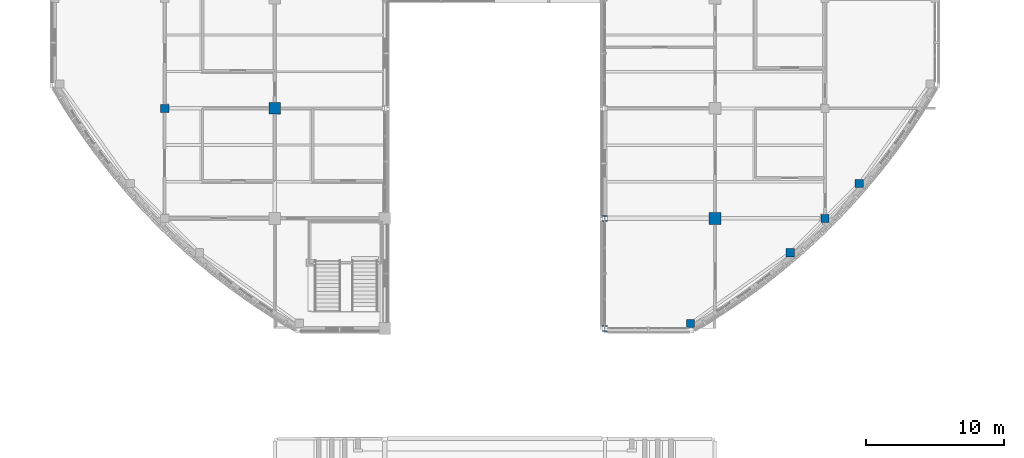
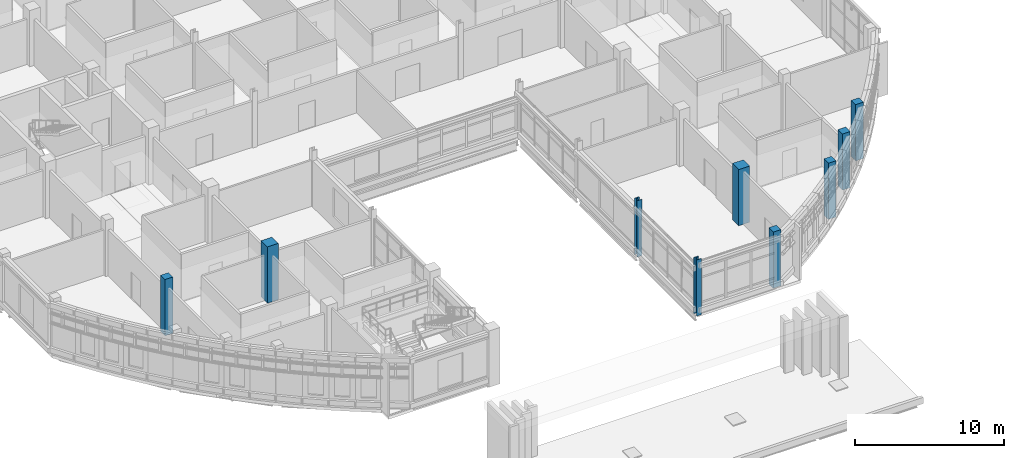
# One storey, part 2 of 121: 9 columns.
"""IFC4 building model written with IfcOpenShell, lengths in metres."""

from ifc_helpers import new_model, si_unit, derived_unit, direction, frame, origin, origin_2d, place, context, subcontext, project, spatial, rectangle, i_section, extrude, material, material_profile, profile_set, type_object, element, save


model = new_model("IFC4")

# Units and contexts
model_context = context("Model", 3, precision=1e-05, world=origin(), true_north=direction((0.0, 1.0)))
body_context = subcontext(model_context, "Body", "Model", "MODEL_VIEW")
ifc_project = project(units=[si_unit("LENGTHUNIT", "METRE"), si_unit("AREAUNIT", "SQUARE_METRE"), si_unit("VOLUMEUNIT", "CUBIC_METRE"), si_unit("PLANEANGLEUNIT", "RADIAN"), si_unit("MASSUNIT", "GRAM", prefix="KILO"), derived_unit("THERMALTRANSMITTANCEUNIT", [(si_unit("MASSUNIT", "GRAM", prefix="KILO"), 1), (si_unit("TIMEUNIT", "SECOND"), -3), (si_unit("THERMODYNAMICTEMPERATUREUNIT", "KELVIN"), -1)])], contexts=[model_context])

# Site, building, storey
site_placement = place(None, origin())
site = spatial("IfcSite", under=ifc_project, at=site_placement, CompositionType="ELEMENT")
building_placement = place(site_placement, origin())
building = spatial("IfcBuilding", under=site, at=building_placement, Name="Veyamyaing Civic Hall", CompositionType="ELEMENT")
storey_placement = place(building_placement, frame((0.0, 0.0, 5.280029296875)))
storey = spatial("IfcBuildingStorey", under=building, at=storey_placement, Name="L01", CompositionType="ELEMENT", Elevation=5.280029296875)

# Columns
ifc_material_1 = material(Name="Concrete C45/55", Category="concrete")
ifc_material_profile_1 = material_profile(ifc_material_1, rectangle(XDim=0.85009765625, YDim=0.85009765625, at=origin_2d()), Name="RC-COL-850X850")
ifc_profile_set_1 = profile_set([ifc_material_profile_1], Name="Concrete C45/55")
column_type_1 = type_object("IfcColumnType", Name="C-01", PredefinedType="COLUMN", material=ifc_profile_set_1)
for number, where, z_axis, x_axis, name in (
    (1, (72.0, 32.0, 0.0), (0.0, 0.0, 1.0), (1.0, 0.0, 0.0), "Column C-01 10-E L01"),
    (2, (104.0, 24.0, 0.0), (0.0, 0.0, 1.0), (1.0, 0.0, 0.0), "Column C-01 14-D L01"),
):
    element("IfcColumn", number, at=place(storey_placement, frame(where, z_axis=z_axis, x_axis=x_axis)), inside=storey, type_object=column_type_1, Name=name, PredefinedType="COLUMN", context=body_context, shape_type="SweptSolid", body=[
        extrude(rectangle(XDim=0.85009765625, YDim=0.85009765625, at=origin_2d()), origin(), (0.0, 0.0, 1.0), 4.619873046875),
    ])
ifc_material_profile_2 = material_profile(ifc_material_1, rectangle(XDim=0.60009765625, YDim=0.60009765625, at=origin_2d()), Name="RC-COL-600X600")
ifc_profile_set_2 = profile_set([ifc_material_profile_2], Name="Concrete C45/55")
column_type_2 = type_object("IfcColumnType", Name="C-06", PredefinedType="COLUMN", material=ifc_profile_set_2)
for number, where, z_axis, x_axis, name in (
    (3, (64.0, 32.0, 0.0), (0.0, 0.0, 1.0), (1.0, 0.0, 0.0), "Column C-06 9-E L01"),
    (4, (112.0, 24.0, 0.0), (0.0, 0.0, 1.0), (1.0, 0.0, 0.0), "Column C-06 15-D L01"),
    (5, (102.220703125, 16.36376953125, 0.0), (0.0, 0.0, 1.0), (1.0, 0.0, 0.0), "Curved corner column C-06 ARC-SE-00 L01"),
    (6, (109.466552734375, 21.5048828125, 0.0), (0.0, 0.0, 1.0), (1.0, 0.0, 0.0), "Curved corner column C-06 ARC-SE-05 L01"),
    (7, (114.4951171875, 26.533447265625, 0.0), (0.0, 0.0, 1.0), (1.0, 0.0, 0.0), "Curved corner column C-06 ARC-SE-09 L01"),
):
    element("IfcColumn", number, at=place(storey_placement, frame(where, z_axis=z_axis, x_axis=x_axis)), inside=storey, type_object=column_type_2, Name=name, PredefinedType="COLUMN", context=body_context, shape_type="SweptSolid", body=[
        extrude(rectangle(XDim=0.60009765625, YDim=0.60009765625, at=origin_2d()), origin(), (0.0, 0.0, 1.0), 4.619873046875),
    ])
ifc_material_2 = material(Name="Steel S355J2", Category="steel")
ifc_material_profile_3 = material_profile(ifc_material_2, i_section(OverallWidth=0.3740234375, OverallDepth=0.3720703125, WebThickness=0.016357421875, FlangeThickness=0.026123046875, FilletRadius=0.014892578125, at=origin_2d()), Name="W360X196")
ifc_profile_set_3 = profile_set([ifc_material_profile_3], Name="Steel S355J2")
column_type_3 = type_object("IfcColumnType", Name="C-09", PredefinedType="COLUMN", material=ifc_profile_set_3)
for number, where, z_axis, x_axis, name in (
    (8, (96.0, 16.0, 0.0), (0.0, 0.0, 1.0), (1.0, 0.0, 0.0), "Column C-09 13-C L01"),
    (9, (96.0, 24.0, 0.0), (0.0, 0.0, 1.0), (1.0, 0.0, 0.0), "Column C-09 13-D L01"),
):
    element("IfcColumn", number, at=place(storey_placement, frame(where, z_axis=z_axis, x_axis=x_axis)), inside=storey, type_object=column_type_3, Name=name, PredefinedType="COLUMN", context=body_context, shape_type="SweptSolid", body=[
        extrude(i_section(OverallWidth=0.3740234375, OverallDepth=0.3720703125, WebThickness=0.016357421875, FlangeThickness=0.026123046875, FilletRadius=0.014892578125, at=origin_2d()), origin(), (0.0, 0.0, 1.0), 4.619873046875),
    ])

save(model, "model.ifc")
